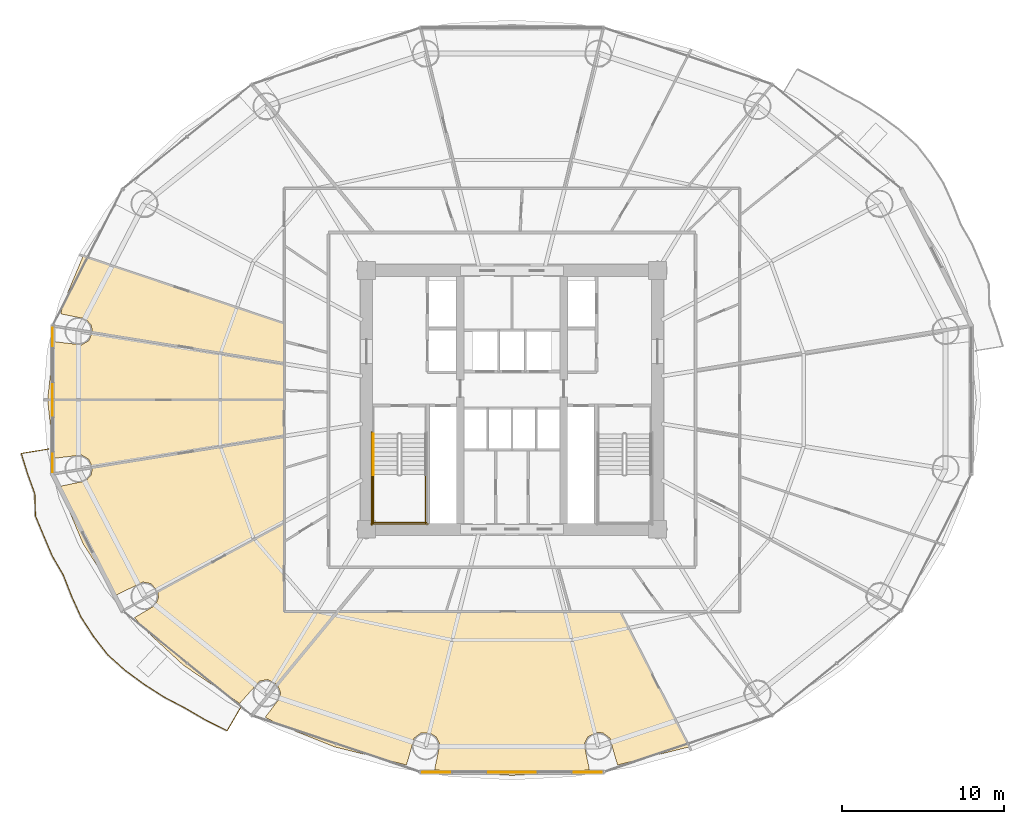
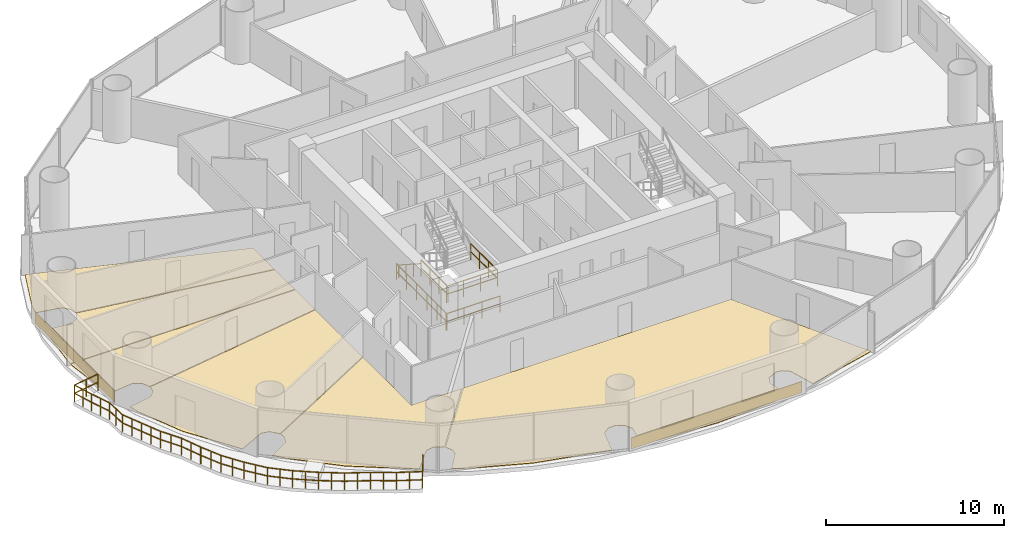
# One storey, part 25 of 28: 8 coverings, 7 railings.
"""IFC4 building model written with IfcOpenShell, lengths in metres."""

from ifc_helpers import new_model, si_unit, direction, frame, origin, origin_2d, place, context, subcontext, project, spatial, polyline, rectangle, outline, extrude, source, transform, mapped, material, layer, layer_set, type_object, element, save


model = new_model("IFC4")

# Units and contexts
model_context = context("Model", 3, precision=1e-05, world=origin(), true_north=direction((-0.2419218956, 0.970295726276)))
body_context = subcontext(model_context, "Body", "Model", "MODEL_VIEW")
ifc_project = project(units=[si_unit("LENGTHUNIT", "METRE"), si_unit("AREAUNIT", "SQUARE_METRE"), si_unit("VOLUMEUNIT", "CUBIC_METRE"), si_unit("PLANEANGLEUNIT", "RADIAN"), si_unit("MASSUNIT", "GRAM", prefix="KILO")], contexts=[model_context])

# Site, building, storey
site_placement = place(None, origin())
site = spatial("IfcSite", under=ifc_project, at=site_placement, CompositionType="ELEMENT")
building_placement = place(site_placement, origin())
building = spatial("IfcBuilding", under=site, at=building_placement, Name="Cobrevalo Terracotta Tower", CompositionType="ELEMENT")
storey_placement = place(building_placement, frame((0.0, 0.0, 34.800048828125)))
storey = spatial("IfcBuildingStorey", under=building, at=storey_placement, Name="L08", CompositionType="ELEMENT", Elevation=34.800048828125)

# Railing
ifc_material_1 = material(Name="Laminated structural glass and stainless steel", Category="steel")
railing_type_1 = type_object("IfcRailingType", Name="Balcony lobe structural glass & terracotta-cap balustrade 1180 mm", PredefinedType="BALUSTRADE", material=ifc_material_1)
railing_1_placement = place(storey_placement, frame((9.33544921875, 23.76708984375, 0.0)))
element("IfcRailing", 1, at=railing_1_placement, inside=storey, type_object=railing_type_1, Name="L08 spiralling balcony lobe balustrade 2", PredefinedType="BALUSTRADE", context=body_context, shape_type="SweptSolid", body=[
    extrude(rectangle(XDim=0.048095703125, YDim=0.048095703125, at=origin_2d()), frame((0.0, 0.0, 1.15576171875), z_axis=(-0.987294734901, -0.158899674124, 0.0), x_axis=(0.158899674124, -0.987294734901, 0.0)), (0.0, 0.0, 1.0), 1.70703125),
    extrude(rectangle(XDim=0.048095703125, YDim=0.048095703125, at=origin_2d()), frame((0.0, 0.0, 0.58984375), z_axis=(-0.987294734901, -0.158899674124, 0.0), x_axis=(0.158899674124, -0.987294734901, 0.0)), (0.0, 0.0, 1.0), 1.70703125),
    extrude(rectangle(XDim=0.048095703125, YDim=0.048095703125, at=origin_2d()), frame((-1.685302734375, -0.271240234375, 1.15576171875), z_axis=(0.296602520814, -0.955001018139, 0.0), x_axis=(0.955001018139, 0.296602520814, 0.0)), (0.0, 0.0, 1.0), 1.322021484375),
    extrude(rectangle(XDim=0.048095703125, YDim=0.048095703125, at=origin_2d()), frame((-1.685302734375, -0.271240234375, 0.58984375), z_axis=(0.296602520814, -0.955001018139, 0.0), x_axis=(0.955001018139, 0.296602520814, 0.0)), (0.0, 0.0, 1.0), 1.322021484375),
    extrude(rectangle(XDim=0.048095703125, YDim=0.048095703125, at=origin_2d()), frame((-1.293212890625, -1.53369140625, 1.15576171875), z_axis=(0.339831756493, -0.94048624513, 0.0), x_axis=(0.94048624513, 0.339831756493, 0.0)), (0.0, 0.0, 1.0), 1.313232421875),
    extrude(rectangle(XDim=0.048095703125, YDim=0.048095703125, at=origin_2d()), frame((-1.293212890625, -1.53369140625, 0.58984375), z_axis=(0.339831756493, -0.94048624513, 0.0), x_axis=(0.94048624513, 0.339831756493, 0.0)), (0.0, 0.0, 1.0), 1.313232421875),
    extrude(rectangle(XDim=0.048095703125, YDim=0.048095703125, at=origin_2d()), frame((-0.846923828125, -2.768798828125, 1.15576171875), z_axis=(0.029305105663, -0.999570513162, 0.0), x_axis=(0.999570513162, 0.029305105663, 0.0)), (0.0, 0.0, 1.0), 1.37451171875),
    extrude(rectangle(XDim=0.048095703125, YDim=0.048095703125, at=origin_2d()), frame((-0.846923828125, -2.768798828125, 0.58984375), z_axis=(0.029305105663, -0.999570513162, 0.0), x_axis=(0.999570513162, 0.029305105663, 0.0)), (0.0, 0.0, 1.0), 1.37451171875),
    extrude(rectangle(XDim=0.048095703125, YDim=0.048095703125, at=origin_2d()), frame((-0.806640625, -4.142822265625, 1.15576171875), z_axis=(0.385066739852, -0.922888728862, 0.0), x_axis=(0.922888728862, 0.385066739852, 0.0)), (0.0, 0.0, 1.0), 1.34423828125),
    extrude(rectangle(XDim=0.048095703125, YDim=0.048095703125, at=origin_2d()), frame((-0.806640625, -4.142822265625, 0.58984375), z_axis=(0.385066739852, -0.922888728862, 0.0), x_axis=(0.922888728862, 0.385066739852, 0.0)), (0.0, 0.0, 1.0), 1.34423828125),
    extrude(rectangle(XDim=0.048095703125, YDim=0.048095703125, at=origin_2d()), frame((-0.2890625, -5.38330078125, 1.15576171875), z_axis=(0.389414506399, -0.92106261579, 0.0), x_axis=(0.92106261579, 0.389414506399, 0.0)), (0.0, 0.0, 1.0), 1.34228515625),
    extrude(rectangle(XDim=0.048095703125, YDim=0.048095703125, at=origin_2d()), frame((-0.2890625, -5.38330078125, 0.58984375), z_axis=(0.389414506399, -0.92106261579, 0.0), x_axis=(0.92106261579, 0.389414506399, 0.0)), (0.0, 0.0, 1.0), 1.34228515625),
    extrude(rectangle(XDim=0.048095703125, YDim=0.048095703125, at=origin_2d()), frame((0.233642578125, -6.61962890625, 1.15576171875), z_axis=(0.502010213573, -0.864861691525, 0.0), x_axis=(0.864861691525, 0.502010213573, 0.0)), (0.0, 0.0, 1.0), 1.36328125),
    extrude(rectangle(XDim=0.048095703125, YDim=0.048095703125, at=origin_2d()), frame((0.233642578125, -6.61962890625, 0.58984375), z_axis=(0.502010213573, -0.864861691525, 0.0), x_axis=(0.864861691525, 0.502010213573, 0.0)), (0.0, 0.0, 1.0), 1.36328125),
    extrude(rectangle(XDim=0.048095703125, YDim=0.048095703125, at=origin_2d()), frame((0.91796875, -7.798583984375, 1.15576171875), z_axis=(0.363627634097, -0.93154438634, 0.0), x_axis=(0.93154438634, 0.363627634097, 0.0)), (0.0, 0.0, 1.0), 1.395751953125),
    extrude(rectangle(XDim=0.048095703125, YDim=0.048095703125, at=origin_2d()), frame((0.91796875, -7.798583984375, 0.58984375), z_axis=(0.363627634097, -0.93154438634, 0.0), x_axis=(0.93154438634, 0.363627634097, 0.0)), (0.0, 0.0, 1.0), 1.395751953125),
    extrude(rectangle(XDim=0.048095703125, YDim=0.048095703125, at=origin_2d()), frame((1.425537109375, -9.098876953125, 1.15576171875), z_axis=(0.411425081208, -0.911443581662, 0.0), x_axis=(0.911443581662, 0.411425081208, 0.0)), (0.0, 0.0, 1.0), 1.41650390625),
    extrude(rectangle(XDim=0.048095703125, YDim=0.048095703125, at=origin_2d()), frame((1.425537109375, -9.098876953125, 0.58984375), z_axis=(0.411425081208, -0.911443581662, 0.0), x_axis=(0.911443581662, 0.411425081208, 0.0)), (0.0, 0.0, 1.0), 1.41650390625),
    extrude(rectangle(XDim=0.048095703125, YDim=0.048095703125, at=origin_2d()), frame((2.00830078125, -10.389892578125, 1.15576171875), z_axis=(0.543279550488, -0.839551862615, 0.0), x_axis=(0.839551862615, 0.543279550488, 0.0)), (0.0, 0.0, 1.0), 1.43212890625),
    extrude(rectangle(XDim=0.048095703125, YDim=0.048095703125, at=origin_2d()), frame((2.00830078125, -10.389892578125, 0.58984375), z_axis=(0.543279550488, -0.839551862615, 0.0), x_axis=(0.839551862615, 0.543279550488, 0.0)), (0.0, 0.0, 1.0), 1.43212890625),
    extrude(rectangle(XDim=0.048095703125, YDim=0.048095703125, at=origin_2d()), frame((2.786376953125, -11.59228515625, 1.15576171875), z_axis=(0.611670786882, -0.791112412035, 0.0), x_axis=(0.791112412035, 0.611670786882, 0.0)), (0.0, 0.0, 1.0), 1.431396484375),
    extrude(rectangle(XDim=0.048095703125, YDim=0.048095703125, at=origin_2d()), frame((2.786376953125, -11.59228515625, 0.58984375), z_axis=(0.611670786882, -0.791112412035, 0.0), x_axis=(0.791112412035, 0.611670786882, 0.0)), (0.0, 0.0, 1.0), 1.431396484375),
    extrude(rectangle(XDim=0.048095703125, YDim=0.048095703125, at=origin_2d()), frame((3.661865234375, -12.724609375, 1.15576171875), z_axis=(0.7448857195, -0.667192074957, 0.0), x_axis=(0.667192074957, 0.7448857195, 0.0)), (0.0, 0.0, 1.0), 1.454833984375),
    extrude(rectangle(XDim=0.048095703125, YDim=0.048095703125, at=origin_2d()), frame((3.661865234375, -12.724609375, 0.58984375), z_axis=(0.7448857195, -0.667192074957, 0.0), x_axis=(0.667192074957, 0.7448857195, 0.0)), (0.0, 0.0, 1.0), 1.454833984375),
    extrude(rectangle(XDim=0.048095703125, YDim=0.048095703125, at=origin_2d()), frame((4.74560546875, -13.6953125, 1.15576171875), z_axis=(0.806638354874, -0.591045315053, 0.0), x_axis=(0.591045315053, 0.806638354874, 0.0)), (0.0, 0.0, 1.0), 1.463134765625),
    extrude(rectangle(XDim=0.048095703125, YDim=0.048095703125, at=origin_2d()), frame((4.74560546875, -13.6953125, 0.58984375), z_axis=(0.806638354874, -0.591045315053, 0.0), x_axis=(0.591045315053, 0.806638354874, 0.0)), (0.0, 0.0, 1.0), 1.463134765625),
    extrude(rectangle(XDim=0.048095703125, YDim=0.048095703125, at=origin_2d()), frame((5.92578125, -14.56005859375, 1.15576171875), z_axis=(0.842508448899, -0.53868312906, 0.0), x_axis=(0.53868312906, 0.842508448899, 0.0)), (0.0, 0.0, 1.0), 1.45849609375),
    extrude(rectangle(XDim=0.048095703125, YDim=0.048095703125, at=origin_2d()), frame((5.92578125, -14.56005859375, 0.58984375), z_axis=(0.842508448899, -0.53868312906, 0.0), x_axis=(0.53868312906, 0.842508448899, 0.0)), (0.0, 0.0, 1.0), 1.45849609375),
    extrude(rectangle(XDim=0.048095703125, YDim=0.048095703125, at=origin_2d()), frame((7.154541015625, -15.345703125, 1.15576171875), z_axis=(0.885299719396, -0.4650208671, 0.0), x_axis=(0.4650208671, 0.885299719396, 0.0)), (0.0, 0.0, 1.0), 1.484130859375),
    extrude(rectangle(XDim=0.048095703125, YDim=0.048095703125, at=origin_2d()), frame((7.154541015625, -15.345703125, 0.58984375), z_axis=(0.885299719396, -0.4650208671, 0.0), x_axis=(0.4650208671, 0.885299719396, 0.0)), (0.0, 0.0, 1.0), 1.484130859375),
    extrude(rectangle(XDim=0.048095703125, YDim=0.048095703125, at=origin_2d()), frame((8.468505859375, -16.035888671875, 1.15576171875), z_axis=(0.864603608279, -0.502454575609, 0.0), x_axis=(0.502454575609, 0.864603608279, 0.0)), (0.0, 0.0, 1.0), 1.458251953125),
    extrude(rectangle(XDim=0.048095703125, YDim=0.048095703125, at=origin_2d()), frame((8.468505859375, -16.035888671875, 0.58984375), z_axis=(0.864603608279, -0.502454575609, 0.0), x_axis=(0.502454575609, 0.864603608279, 0.0)), (0.0, 0.0, 1.0), 1.458251953125),
    extrude(rectangle(XDim=0.048095703125, YDim=0.048095703125, at=origin_2d()), frame((9.729248046875, -16.7685546875, 1.15576171875), z_axis=(0.89492372627, -0.446219143649, 0.0), x_axis=(0.446219143649, 0.89492372627, 0.0)), (0.0, 0.0, 1.0), 1.473388671875),
    extrude(rectangle(XDim=0.048095703125, YDim=0.048095703125, at=origin_2d()), frame((9.729248046875, -16.7685546875, 0.58984375), z_axis=(0.89492372627, -0.446219143649, 0.0), x_axis=(0.446219143649, 0.89492372627, 0.0)), (0.0, 0.0, 1.0), 1.473388671875),
    extrude(rectangle(XDim=0.048095703125, YDim=0.048095703125, at=origin_2d()), frame((11.0478515625, -17.426025390625, 1.15576171875), z_axis=(0.501711514973, 0.865035002612, 0.0), x_axis=(-0.865035002612, 0.501711514973, 0.0)), (0.0, 0.0, 1.0), 1.667236328125),
    extrude(rectangle(XDim=0.048095703125, YDim=0.048095703125, at=origin_2d()), frame((11.0478515625, -17.426025390625, 0.58984375), z_axis=(0.501711514973, 0.865035002612, 0.0), x_axis=(-0.865035002612, 0.501711514973, 0.0)), (0.0, 0.0, 1.0), 1.667236328125),
    extrude(rectangle(XDim=0.0419921875, YDim=0.0419921875, at=origin_2d()), origin(), (0.0, 0.0, 1.0), 1.1318359375),
    extrude(rectangle(XDim=0.0419921875, YDim=0.0419921875, at=origin_2d()), frame((-0.8427734375, -0.1357421875, 0.0)), (0.0, 0.0, 1.0), 1.1318359375),
    extrude(rectangle(XDim=0.0419921875, YDim=0.0419921875, at=origin_2d()), frame((-1.685302734375, -0.271240234375, 0.0)), (0.0, 0.0, 1.0), 1.1318359375),
    extrude(rectangle(XDim=0.0419921875, YDim=0.0419921875, at=origin_2d()), frame((-1.4892578125, -0.90234375, 0.0)), (0.0, 0.0, 1.0), 1.1318359375),
    extrude(rectangle(XDim=0.0419921875, YDim=0.0419921875, at=origin_2d()), frame((-1.293212890625, -1.53369140625, 0.0)), (0.0, 0.0, 1.0), 1.1318359375),
    extrude(rectangle(XDim=0.0419921875, YDim=0.0419921875, at=origin_2d()), frame((-1.070068359375, -2.1513671875, 0.0)), (0.0, 0.0, 1.0), 1.1318359375),
    extrude(rectangle(XDim=0.0419921875, YDim=0.0419921875, at=origin_2d()), frame((-0.846923828125, -2.768798828125, 0.0)), (0.0, 0.0, 1.0), 1.1318359375),
    extrude(rectangle(XDim=0.0419921875, YDim=0.0419921875, at=origin_2d()), frame((-0.82666015625, -3.455810546875, 0.0)), (0.0, 0.0, 1.0), 1.1318359375),
    extrude(rectangle(XDim=0.0419921875, YDim=0.0419921875, at=origin_2d()), frame((-0.806640625, -4.142822265625, 0.0)), (0.0, 0.0, 1.0), 1.1318359375),
    extrude(rectangle(XDim=0.0419921875, YDim=0.0419921875, at=origin_2d()), frame((-0.5478515625, -4.76318359375, 0.0)), (0.0, 0.0, 1.0), 1.1318359375),
    extrude(rectangle(XDim=0.0419921875, YDim=0.0419921875, at=origin_2d()), frame((-0.2890625, -5.38330078125, 0.0)), (0.0, 0.0, 1.0), 1.1318359375),
    extrude(rectangle(XDim=0.0419921875, YDim=0.0419921875, at=origin_2d()), frame((-0.02783203125, -6.00146484375, 0.0)), (0.0, 0.0, 1.0), 1.1318359375),
    extrude(rectangle(XDim=0.0419921875, YDim=0.0419921875, at=origin_2d()), frame((0.233642578125, -6.61962890625, 0.0)), (0.0, 0.0, 1.0), 1.1318359375),
    extrude(rectangle(XDim=0.0419921875, YDim=0.0419921875, at=origin_2d()), frame((0.57568359375, -7.208984375, 0.0)), (0.0, 0.0, 1.0), 1.1318359375),
    extrude(rectangle(XDim=0.0419921875, YDim=0.0419921875, at=origin_2d()), frame((0.91796875, -7.798583984375, 0.0)), (0.0, 0.0, 1.0), 1.1318359375),
    extrude(rectangle(XDim=0.0419921875, YDim=0.0419921875, at=origin_2d()), frame((1.171875, -8.44873046875, 0.0)), (0.0, 0.0, 1.0), 1.1318359375),
    extrude(rectangle(XDim=0.0419921875, YDim=0.0419921875, at=origin_2d()), frame((1.425537109375, -9.098876953125, 0.0)), (0.0, 0.0, 1.0), 1.1318359375),
    extrude(rectangle(XDim=0.0419921875, YDim=0.0419921875, at=origin_2d()), frame((1.716796875, -9.744384765625, 0.0)), (0.0, 0.0, 1.0), 1.1318359375),
    extrude(rectangle(XDim=0.0419921875, YDim=0.0419921875, at=origin_2d()), frame((2.00830078125, -10.389892578125, 0.0)), (0.0, 0.0, 1.0), 1.1318359375),
    extrude(rectangle(XDim=0.0419921875, YDim=0.0419921875, at=origin_2d()), frame((2.3974609375, -10.9912109375, 0.0)), (0.0, 0.0, 1.0), 1.1318359375),
    extrude(rectangle(XDim=0.0419921875, YDim=0.0419921875, at=origin_2d()), frame((2.786376953125, -11.59228515625, 0.0)), (0.0, 0.0, 1.0), 1.1318359375),
    extrude(rectangle(XDim=0.0419921875, YDim=0.0419921875, at=origin_2d()), frame((3.22412109375, -12.158447265625, 0.0)), (0.0, 0.0, 1.0), 1.1318359375),
    extrude(rectangle(XDim=0.0419921875, YDim=0.0419921875, at=origin_2d()), frame((3.661865234375, -12.724609375, 0.0)), (0.0, 0.0, 1.0), 1.1318359375),
    extrude(rectangle(XDim=0.0419921875, YDim=0.0419921875, at=origin_2d()), frame((4.20361328125, -13.2099609375, 0.0)), (0.0, 0.0, 1.0), 1.1318359375),
    extrude(rectangle(XDim=0.0419921875, YDim=0.0419921875, at=origin_2d()), frame((4.74560546875, -13.6953125, 0.0)), (0.0, 0.0, 1.0), 1.1318359375),
    extrude(rectangle(XDim=0.0419921875, YDim=0.0419921875, at=origin_2d()), frame((5.335693359375, -14.127685546875, 0.0)), (0.0, 0.0, 1.0), 1.1318359375),
    extrude(rectangle(XDim=0.0419921875, YDim=0.0419921875, at=origin_2d()), frame((5.92578125, -14.56005859375, 0.0)), (0.0, 0.0, 1.0), 1.1318359375),
    extrude(rectangle(XDim=0.0419921875, YDim=0.0419921875, at=origin_2d()), frame((6.5400390625, -14.952880859375, 0.0)), (0.0, 0.0, 1.0), 1.1318359375),
    extrude(rectangle(XDim=0.0419921875, YDim=0.0419921875, at=origin_2d()), frame((7.154541015625, -15.345703125, 0.0)), (0.0, 0.0, 1.0), 1.1318359375),
    extrude(rectangle(XDim=0.0419921875, YDim=0.0419921875, at=origin_2d()), frame((7.8115234375, -15.69091796875, 0.0)), (0.0, 0.0, 1.0), 1.1318359375),
    extrude(rectangle(XDim=0.0419921875, YDim=0.0419921875, at=origin_2d()), frame((8.468505859375, -16.035888671875, 0.0)), (0.0, 0.0, 1.0), 1.1318359375),
    extrude(rectangle(XDim=0.0419921875, YDim=0.0419921875, at=origin_2d()), frame((9.098876953125, -16.40234375, 0.0)), (0.0, 0.0, 1.0), 1.1318359375),
    extrude(rectangle(XDim=0.0419921875, YDim=0.0419921875, at=origin_2d()), frame((9.729248046875, -16.7685546875, 0.0)), (0.0, 0.0, 1.0), 1.1318359375),
    extrude(rectangle(XDim=0.0419921875, YDim=0.0419921875, at=origin_2d()), frame((10.388671875, -17.09716796875, 0.0)), (0.0, 0.0, 1.0), 1.1318359375),
    extrude(rectangle(XDim=0.0419921875, YDim=0.0419921875, at=origin_2d()), frame((11.0478515625, -17.426025390625, 0.0)), (0.0, 0.0, 1.0), 1.1318359375),
    extrude(rectangle(XDim=0.0419921875, YDim=0.0419921875, at=origin_2d()), frame((11.466064453125, -16.705078125, 0.0)), (0.0, 0.0, 1.0), 1.1318359375),
    extrude(rectangle(XDim=0.0419921875, YDim=0.0419921875, at=origin_2d()), frame((11.88427734375, -15.98388671875, 0.0)), (0.0, 0.0, 1.0), 1.1318359375),
])

# Coverings
ifc_material_2 = material(Name="Engineered Brazilian hardwood flooring", Category="wood")
ifc_layer_1 = layer(ifc_material_2, 0.028076171875)
ifc_layer_set_1 = layer_set([ifc_layer_1], Name="Engineered Brazilian hardwood flooring")
covering_type_1 = type_object("IfcCoveringType", Name="Engineered Hardwood Suite Flooring 28", PredefinedType="FLOORING", material=ifc_layer_set_1)
covering_1_placement = place(storey_placement, origin())
element("IfcCovering", 2, at=covering_1_placement, inside=storey, type_object=covering_type_1, Name="Flat L08B Master Bedroom floor finish", PredefinedType="FLOORING", context=body_context, shape_type="SweptSolid", body=[
    extrude(outline(polyline([(11.468505859375, 35.684326171875), (23.89501953125, 31.513427734375), (23.89501953125, 29.09375), (12.04931640625, 31.003173828125), (11.974853515625, 31.4306640625), (11.6357421875, 31.81298828125), (10.090576171875, 32.126220703125), (10.25830078125, 32.80859375), (11.468505859375, 35.684326171875)])), origin(), (0.0, 0.0, 1.0), 0.030029296875),
])
covering_2_placement = place(storey_placement, origin())
element("IfcCovering", 3, at=covering_2_placement, inside=storey, type_object=covering_type_1, Name="Flat L08B Principal Guest Bedroom floor finish", PredefinedType="FLOORING", context=body_context, shape_type="SweptSolid", body=[
    extrude(outline(polyline([(9.668701171875, 30.4111328125), (11.380615234375, 30.206787109375), (11.821533203125, 30.465087890625), (12.047119140625, 30.963134765625), (23.89501953125, 29.05322265625), (23.89501953125, 26.820068359375), (9.28173828125, 26.820068359375), (9.668701171875, 30.4111328125)])), origin(), (0.0, 0.0, 1.0), 0.030029296875),
])
covering_3_placement = place(storey_placement, origin())
element("IfcCovering", 4, at=covering_3_placement, inside=storey, type_object=covering_type_1, Name="Flat L08B Principal Guest Bedroom floor finish", PredefinedType="FLOORING", context=body_context, shape_type="SweptSolid", body=[
    extrude(outline(polyline([(9.28173828125, 26.780029296875), (23.89501953125, 26.780029296875), (23.89501953125, 24.546630859375), (12.047119140625, 22.636962890625), (11.821533203125, 23.135009765625), (11.380615234375, 23.39306640625), (9.668701171875, 23.18896484375), (9.28173828125, 26.780029296875)])), origin(), (0.0, 0.0, 1.0), 0.030029296875),
])
covering_4_placement = place(storey_placement, origin())
element("IfcCovering", 5, at=covering_4_placement, inside=storey, type_object=covering_type_1, Name="Flat L08B Penthouse Family Lounge floor finish", PredefinedType="FLOORING", context=body_context, shape_type="SweptSolid", body=[
    extrude(outline(polyline([(11.465576171875, 17.91552734375), (10.25830078125, 20.791259765625), (10.090576171875, 21.473876953125), (11.6357421875, 21.787109375), (11.974853515625, 22.169189453125), (12.04931640625, 22.596923828125), (23.89501953125, 24.506103515625), (23.89501953125, 19.185546875), (16.084716796875, 14.95654296875), (15.674560546875, 15.436767578125), (15.173583984375, 15.53662109375), (13.511962890625, 14.7255859375), (11.465576171875, 17.91552734375)])), origin(), (0.0, 0.0, 1.0), 0.030029296875),
])
covering_5_placement = place(storey_placement, origin())
element("IfcCovering", 6, at=covering_5_placement, inside=storey, type_object=covering_type_1, Name="Flat L08B Penthouse Family Lounge floor finish", PredefinedType="FLOORING", context=body_context, shape_type="SweptSolid", body=[
    extrude(outline(polyline([(14.65576171875, 13.341064453125), (15.939208984375, 14.10205078125), (16.135009765625, 14.573974609375), (16.09765625, 14.91796875), (23.89501953125, 19.14013671875), (23.89501953125, 13.695068359375), (27.168212890625, 13.695068359375), (23.468017578125, 9.20751953125), (22.899658203125, 9.50732421875), (22.3974609375, 9.412353515625), (21.156494140625, 8.03271484375), (17.6904296875, 10.38232421875), (15.213623046875, 12.666259765625), (14.65576171875, 13.341064453125)])), origin(), (0.0, 0.0, 1.0), 0.030029296875),
])
covering_6_placement = place(storey_placement, origin())
element("IfcCovering", 7, at=covering_6_placement, inside=storey, type_object=covering_type_1, Name="Flat L08C Penthouse Living and Dining Room floor finish", PredefinedType="FLOORING", context=body_context, shape_type="SweptSolid", body=[
    extrude(outline(polyline([(23.4951171875, 9.177490234375), (27.219970703125, 13.695068359375), (44.67626953125, 13.695068359375), (48.948974609375, 5.336181640625), (44.527587890625, 4.2255859375), (44.04345703125, 5.89306640625), (43.63330078125, 6.197998046875), (43.293701171875, 6.2490234375), (42.6845703125, 5.9619140625), (42.46533203125, 5.500244140625), (42.78369140625, 3.945068359375), (41.749267578125, 3.77880859375), (38.0, 3.580078125), (34.250732421875, 3.77880859375), (33.21630859375, 3.945068359375), (33.53466796875, 5.500244140625), (33.3154296875, 5.9619140625), (32.876953125, 6.223876953125), (32.36669921875, 6.197998046875), (31.95654296875, 5.89306640625), (31.472412109375, 4.2255859375), (27.008056640625, 5.34814453125), (23.638427734375, 6.691650390625), (22.73681640625, 7.178955078125), (23.64501953125, 8.369140625), (23.681884765625, 8.71044921875), (23.4951171875, 9.177490234375)])), origin(), (0.0, 0.0, 1.0), 0.030029296875),
])

# Railings
ifc_material_3 = material(Name="Brushed stainless steel", Category="steel")
railing_type_2 = type_object("IfcRailingType", Name="Stainless Steel Stair Handrail 900", PredefinedType="HANDRAIL", material=ifc_material_3)
railing_2_placement = place(storey_placement, frame((29.425048828125, 24.699951171875, 0.179931640625)))
element("IfcRailing", 8, at=railing_2_placement, inside=storey, type_object=railing_type_2, Name="L08 ST-1 stair handrail 1", PredefinedType="HANDRAIL", context=body_context, shape_type="SweptSolid", body=[
    extrude(rectangle(XDim=0.048095703125, YDim=0.048095703125, at=origin_2d()), frame((0.0, 0.0, 0.8759765625), z_axis=(0.0, -0.841162588446, 0.540782303519), x_axis=(1.0, 0.0, 0.0)), (0.0, 0.0, 1.0), 2.995849609375),
    extrude(rectangle(XDim=0.0419921875, YDim=0.0419921875, at=origin_2d()), origin(), (0.0, 0.0, 1.0), 0.851806640625),
    extrude(rectangle(XDim=0.0419921875, YDim=0.0419921875, at=origin_2d()), frame((0.0, -0.840087890625, 0.5400390625)), (0.0, 0.0, 1.0), 0.851806640625),
    extrude(rectangle(XDim=0.0419921875, YDim=0.0419921875, at=origin_2d()), frame((0.0, -1.679931640625, 1.080078125)), (0.0, 0.0, 1.0), 0.851806640625),
    extrude(rectangle(XDim=0.0419921875, YDim=0.0419921875, at=origin_2d()), frame((0.0, -2.52001953125, 1.6201171875)), (0.0, 0.0, 1.0), 0.851806640625),
])
ifc_material_4 = material(Name="Painted galvanized steel", Category="steel")
railing_type_3 = type_object("IfcRailingType", Name="Stair Well Guard Balustrade 1150", PredefinedType="GUARDRAIL", material=ifc_material_4)
for number, where, name in (
    (9, (29.425048828125, 22.179931640625, 1.800048828125), "L08 ST-1 stair guard 3"),
    (10, (32.64501953125, 22.179931640625, 1.800048828125), "L08 ST-1 stair guard 4"),
):
    element("IfcRailing", number, at=place(storey_placement, frame(where)), inside=storey, type_object=railing_type_3, Name=name, PredefinedType="GUARDRAIL", context=body_context, shape_type="SweptSolid", body=[
        extrude(rectangle(XDim=0.048095703125, YDim=0.048095703125, at=origin_2d()), frame((0.0, 0.0, 1.1259765625), z_axis=(0.0, -1.0, 0.0), x_axis=(1.0, 0.0, 0.0)), (0.0, 0.0, 1.0), 3.0048828125),
        extrude(rectangle(XDim=0.048095703125, YDim=0.048095703125, at=origin_2d()), frame((0.0, 0.0, 0.574951171875), z_axis=(0.0, -1.0, 0.0), x_axis=(1.0, 0.0, 0.0)), (0.0, 0.0, 1.0), 3.0048828125),
        extrude(rectangle(XDim=0.0419921875, YDim=0.0419921875, at=origin_2d()), origin(), (0.0, 0.0, 1.0), 1.101806640625),
        extrude(rectangle(XDim=0.0419921875, YDim=0.0419921875, at=origin_2d()), frame((0.0, -1.001708984375, 0.0)), (0.0, 0.0, 1.0), 1.101806640625),
        extrude(rectangle(XDim=0.0419921875, YDim=0.0419921875, at=origin_2d()), frame((0.0, -2.003173828125, 0.0)), (0.0, 0.0, 1.0), 1.101806640625),
        extrude(rectangle(XDim=0.0419921875, YDim=0.0419921875, at=origin_2d()), frame((0.0, -3.0048828125, 0.0)), (0.0, 0.0, 1.0), 1.101806640625),
    ])
railing_3_placement = place(storey_placement, frame((29.375, 19.22509765625, 1.800048828125)))
element("IfcRailing", 11, at=railing_3_placement, inside=storey, type_object=railing_type_3, Name="L08 ST-1 stair guard 5", PredefinedType="GUARDRAIL", context=body_context, shape_type="SweptSolid", body=[
    extrude(rectangle(XDim=0.048095703125, YDim=0.048095703125, at=origin_2d()), frame((0.0, 0.0, 1.1259765625), z_axis=(1.0, 0.0, 0.0), x_axis=(0.0, 1.0, 0.0)), (0.0, 0.0, 1.0), 3.320068359375),
    extrude(rectangle(XDim=0.048095703125, YDim=0.048095703125, at=origin_2d()), frame((0.0, 0.0, 0.574951171875), z_axis=(1.0, 0.0, 0.0), x_axis=(0.0, 1.0, 0.0)), (0.0, 0.0, 1.0), 3.320068359375),
    extrude(rectangle(XDim=0.0419921875, YDim=0.0419921875, at=origin_2d()), origin(), (0.0, 0.0, 1.0), 1.101806640625),
    extrude(rectangle(XDim=0.0419921875, YDim=0.0419921875, at=origin_2d()), frame((1.106689453125, 0.0, 0.0)), (0.0, 0.0, 1.0), 1.101806640625),
    extrude(rectangle(XDim=0.0419921875, YDim=0.0419921875, at=origin_2d()), frame((2.21337890625, 0.0, 0.0)), (0.0, 0.0, 1.0), 1.101806640625),
    extrude(rectangle(XDim=0.0419921875, YDim=0.0419921875, at=origin_2d()), frame((3.320068359375, 0.0, 0.0)), (0.0, 0.0, 1.0), 1.101806640625),
])
railing_4_placement = place(storey_placement, frame((29.324951171875, 24.800048828125, 0.0)))
element("IfcRailing", 12, at=railing_4_placement, inside=storey, type_object=railing_type_3, Name="L08 ST-1 stair guard 10", PredefinedType="GUARDRAIL", context=body_context, shape_type="SweptSolid", body=[
    extrude(rectangle(XDim=0.048095703125, YDim=0.048095703125, at=origin_2d()), frame((0.0, 0.0, 1.1259765625), z_axis=(0.0, -1.0, 0.0), x_axis=(1.0, 0.0, 0.0)), (0.0, 0.0, 1.0), 5.72509765625),
    extrude(rectangle(XDim=0.048095703125, YDim=0.048095703125, at=origin_2d()), frame((0.0, 0.0, 0.574951171875), z_axis=(0.0, -1.0, 0.0), x_axis=(1.0, 0.0, 0.0)), (0.0, 0.0, 1.0), 5.72509765625),
    extrude(rectangle(XDim=0.0419921875, YDim=0.0419921875, at=origin_2d()), origin(), (0.0, 0.0, 1.0), 1.101806640625),
    extrude(rectangle(XDim=0.0419921875, YDim=0.0419921875, at=origin_2d()), frame((0.0, -1.14501953125, 0.0)), (0.0, 0.0, 1.0), 1.101806640625),
    extrude(rectangle(XDim=0.0419921875, YDim=0.0419921875, at=origin_2d()), frame((0.0, -2.2900390625, 0.0)), (0.0, 0.0, 1.0), 1.101806640625),
    extrude(rectangle(XDim=0.0419921875, YDim=0.0419921875, at=origin_2d()), frame((0.0, -3.43505859375, 0.0)), (0.0, 0.0, 1.0), 1.101806640625),
    extrude(rectangle(XDim=0.0419921875, YDim=0.0419921875, at=origin_2d()), frame((0.0, -4.580078125, 0.0)), (0.0, 0.0, 1.0), 1.101806640625),
    extrude(rectangle(XDim=0.0419921875, YDim=0.0419921875, at=origin_2d()), frame((0.0, -5.72509765625, 0.0)), (0.0, 0.0, 1.0), 1.101806640625),
])
railing_5_placement = place(storey_placement, frame((29.27490234375, 19.125, 0.0)))
element("IfcRailing", 13, at=railing_5_placement, inside=storey, type_object=railing_type_3, Name="L08 ST-1 stair guard 12", PredefinedType="GUARDRAIL", context=body_context, shape_type="SweptSolid", body=[
    extrude(rectangle(XDim=0.048095703125, YDim=0.048095703125, at=origin_2d()), frame((0.0, 0.0, 1.1259765625), z_axis=(1.0, 0.0, 0.0), x_axis=(0.0, 1.0, 0.0)), (0.0, 0.0, 1.0), 3.52001953125),
    extrude(rectangle(XDim=0.048095703125, YDim=0.048095703125, at=origin_2d()), frame((0.0, 0.0, 0.574951171875), z_axis=(1.0, 0.0, 0.0), x_axis=(0.0, 1.0, 0.0)), (0.0, 0.0, 1.0), 3.52001953125),
    extrude(rectangle(XDim=0.0419921875, YDim=0.0419921875, at=origin_2d()), origin(), (0.0, 0.0, 1.0), 1.101806640625),
    extrude(rectangle(XDim=0.0419921875, YDim=0.0419921875, at=origin_2d()), frame((1.17333984375, 0.0, 0.0)), (0.0, 0.0, 1.0), 1.101806640625),
    extrude(rectangle(XDim=0.0419921875, YDim=0.0419921875, at=origin_2d()), frame((2.3466796875, 0.0, 0.0)), (0.0, 0.0, 1.0), 1.101806640625),
    extrude(rectangle(XDim=0.0419921875, YDim=0.0419921875, at=origin_2d()), frame((3.52001953125, 0.0, 0.0)), (0.0, 0.0, 1.0), 1.101806640625),
])

# Coverings
ifc_material_5 = material(Name="Glazed terracotta facade cladding tile", Category="masonry")
ifc_layer_2 = layer(ifc_material_5, 0.044921875)
ifc_layer_set_2 = layer_set([ifc_layer_2], Name="Glazed terracotta facade cladding tile")
covering_type_2 = type_object("IfcCoveringType", Name="Architectural terracotta rainscreen spandrel cladding 45 mm", PredefinedType="CLADDING", material=ifc_layer_set_2)
shared_shape_1 = source(origin(), body_context, "Body", "SweptSolid", [
    extrude(rectangle(XDim=11.103515625, YDim=0.044921875, at=origin_2d()), origin(), (0.0, 0.0, 1.0), 0.760009765625),
])
covering_7_placement = place(storey_placement, frame((38.0, 3.781005859375, 0.0400390625), z_axis=(0.0, 0.0, 1.0), x_axis=(1.0, 0.0, 0.0)))
element("IfcCovering", 14, at=covering_7_placement, inside=storey, type_object=covering_type_2, Name="L08 terracotta spandrel cladding S12", PredefinedType="CLADDING", context=body_context, shape_type="MappedRepresentation", body=[
    mapped(shared_shape_1, transform((0.0, 0.0, 0.0), scale=1.0)),
])
shared_shape_2 = source(origin(), body_context, "Body", "SweptSolid", [
    extrude(rectangle(XDim=8.95751953125, YDim=0.044921875, at=origin_2d()), origin(), (0.0, 0.0, 1.0), 0.760009765625),
])
covering_8_placement = place(storey_placement, frame((9.586669921875, 26.800048828125, 0.0400390625), z_axis=(0.0, 0.0, 1.0), x_axis=(0.0, -1.0, 0.0)))
element("IfcCovering", 15, at=covering_8_placement, inside=storey, type_object=covering_type_2, Name="L08 terracotta spandrel cladding S08", PredefinedType="CLADDING", context=body_context, shape_type="MappedRepresentation", body=[
    mapped(shared_shape_2, transform((0.0, 0.0, 0.0), scale=1.0)),
])

save(model, "model.ifc")
